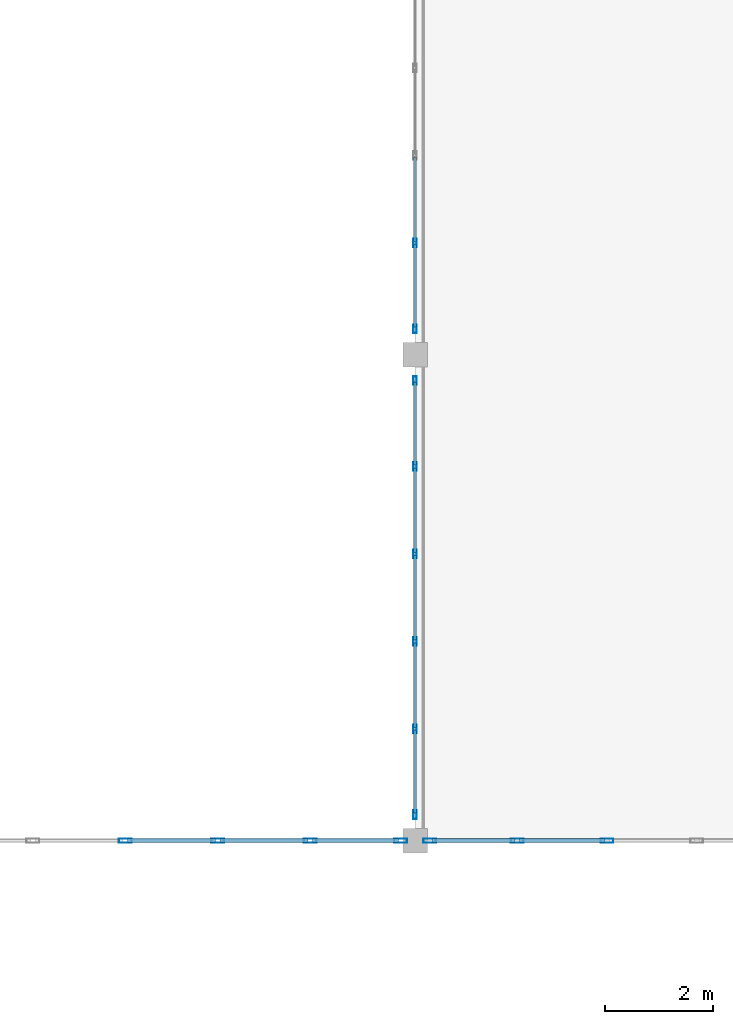
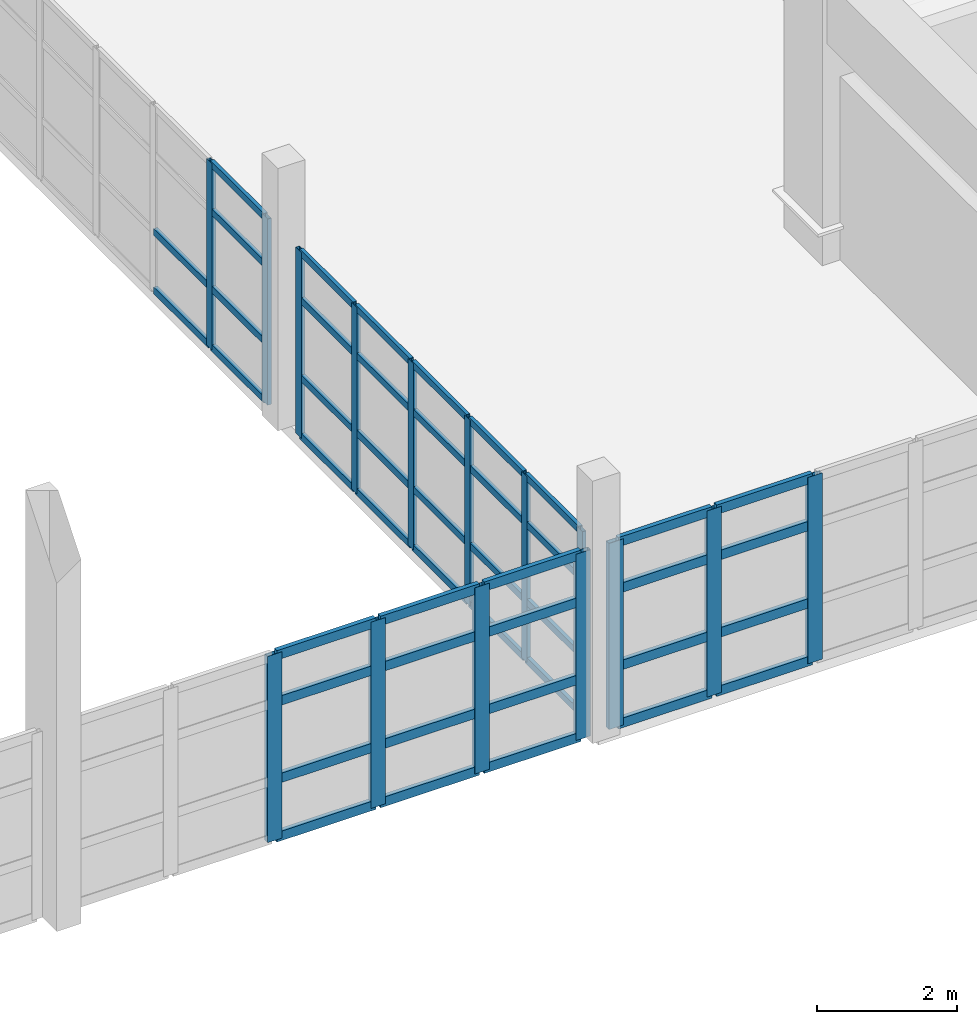
# One storey, part 11 of 80: 61 members, 4 elements without a shape of their own.
"""IFC4 building model written with IfcOpenShell, lengths in metres."""

from ifc_helpers import new_model, si_unit, direction, frame, origin, origin_2d, place, context, subcontext, project, spatial, hollow_rectangle, extrude, material, layer, layer_set, material_profile, profile_set, type_object, element, aggregate, save


model = new_model("IFC4")

# Units and contexts
model_context = context("Model", 3, precision=1e-05, world=origin(), true_north=direction((0.0, 1.0)))
body_context = subcontext(model_context, "Body", "Model", "MODEL_VIEW")
ifc_project = project(units=[si_unit("LENGTHUNIT", "METRE"), si_unit("AREAUNIT", "SQUARE_METRE"), si_unit("VOLUMEUNIT", "CUBIC_METRE"), si_unit("PLANEANGLEUNIT", "RADIAN"), si_unit("MASSUNIT", "GRAM", prefix="KILO")], contexts=[model_context])

# Site, building, storey
site_placement = place(None, origin())
site = spatial("IfcSite", under=ifc_project, at=site_placement, CompositionType="ELEMENT")
building_placement = place(site_placement, origin())
building = spatial("IfcBuilding", under=site, at=building_placement, Name="Ornek Quay Market", CompositionType="ELEMENT")
storey_placement = place(building_placement, frame((0.0, 0.0, 8.39990234375)))
storey = spatial("IfcBuildingStorey", under=building, at=storey_placement, Name="L02", CompositionType="ELEMENT", Elevation=8.39990234375)

# Curtain wall, members
ifc_material_1 = material(Name="Anodised bronze aluminium and triple low-e glass", Category="aluminium")
ifc_layer_1 = layer(ifc_material_1, 0.139892578125, Name="Anodised bronze aluminium and triple low-e glass", Category="aluminium")
ifc_layer_set_1 = layer_set([ifc_layer_1], Name="Anodised bronze aluminium and triple low-e glass")
curtain_wall_type_1 = type_object("IfcCurtainWallType", Name="CW-GALLERY-INT", PredefinedType="USERDEFINED", material=ifc_layer_set_1)
curtain_wall_1_placement = place(storey_placement, origin())
curtain_wall_1 = element("IfcCurtainWall", 1, at=curtain_wall_1_placement, inside=storey, type_object=curtain_wall_type_1, Name="Curtain wall CW-115", ObjectType="CURTAIN WALL", PredefinedType="USERDEFINED")
ifc_material_2 = material(Name="Anodised aluminium 6063-T6", Category="aluminium")
ifc_material_profile_1 = material_profile(ifc_material_2, hollow_rectangle(XDim=0.06005859375, YDim=0.159912109375, WallThickness=0.00390625, at=origin_2d()), Name="CW-MUL-60x160", Category="aluminium")
ifc_profile_set_1 = profile_set([ifc_material_profile_1], Name="Anodised aluminium 6063-T6")
member_type_1 = type_object("IfcMemberType", Name="CW-MUL-60x160", PredefinedType="MULLION", material=ifc_profile_set_1)
member_1_placement = place(storey_placement, frame((108.0, 29.47998046875, 0.0), z_axis=(0.0, 0.0, 1.0), x_axis=(-1.0, 0.0, 0.0)))
member_1 = element("IfcMember", 2, at=member_1_placement, type_object=member_type_1, Name="CW-115 mullion 1", PredefinedType="MULLION", context=body_context, shape_type="SweptSolid", body=[
    extrude(hollow_rectangle(XDim=0.06005859375, YDim=0.159912109375, WallThickness=0.00390625, at=origin_2d()), origin(), (0.0, 0.0, 1.0), 3.25),
])
member_2_placement = place(storey_placement, frame((108.0, 31.070068359375, 0.0), z_axis=(0.0, 0.0, 1.0), x_axis=(-1.0, 0.0, 0.0)))
member_2 = element("IfcMember", 3, at=member_2_placement, type_object=member_type_1, Name="CW-115 mullion 2", PredefinedType="MULLION", context=body_context, shape_type="SweptSolid", body=[
    extrude(hollow_rectangle(XDim=0.06005859375, YDim=0.159912109375, WallThickness=0.00390625, at=origin_2d()), origin(), (0.0, 0.0, 1.0), 3.25),
])
member_3_placement = place(storey_placement, frame((108.0, 32.68994140625, 0.0), z_axis=(0.0, 0.0, 1.0), x_axis=(-1.0, 0.0, 0.0)))
member_3 = element("IfcMember", 4, at=member_3_placement, type_object=member_type_1, Name="CW-115 mullion 3", PredefinedType="MULLION", context=body_context, shape_type="SweptSolid", body=[
    extrude(hollow_rectangle(XDim=0.06005859375, YDim=0.159912109375, WallThickness=0.00390625, at=origin_2d()), origin(), (0.0, 0.0, 1.0), 3.25),
])
member_4_placement = place(storey_placement, frame((108.0, 34.31005859375, 0.0), z_axis=(0.0, 0.0, 1.0), x_axis=(-1.0, 0.0, 0.0)))
member_4 = element("IfcMember", 5, at=member_4_placement, type_object=member_type_1, Name="CW-115 mullion 4", PredefinedType="MULLION", context=body_context, shape_type="SweptSolid", body=[
    extrude(hollow_rectangle(XDim=0.06005859375, YDim=0.159912109375, WallThickness=0.00390625, at=origin_2d()), origin(), (0.0, 0.0, 1.0), 3.25),
])
member_5_placement = place(storey_placement, frame((108.0, 35.929931640625, 0.0), z_axis=(0.0, 0.0, 1.0), x_axis=(-1.0, 0.0, 0.0)))
member_5 = element("IfcMember", 6, at=member_5_placement, type_object=member_type_1, Name="CW-115 mullion 5", PredefinedType="MULLION", context=body_context, shape_type="SweptSolid", body=[
    extrude(hollow_rectangle(XDim=0.06005859375, YDim=0.159912109375, WallThickness=0.00390625, at=origin_2d()), origin(), (0.0, 0.0, 1.0), 3.25),
])
member_6_placement = place(storey_placement, frame((108.0, 37.52001953125, 0.0), z_axis=(0.0, 0.0, 1.0), x_axis=(-1.0, 0.0, 0.0)))
member_6 = element("IfcMember", 7, at=member_6_placement, type_object=member_type_1, Name="CW-115 mullion 6", PredefinedType="MULLION", context=body_context, shape_type="SweptSolid", body=[
    extrude(hollow_rectangle(XDim=0.06005859375, YDim=0.159912109375, WallThickness=0.00390625, at=origin_2d()), origin(), (0.0, 0.0, 1.0), 3.25),
])

curtain_wall_2_placement = place(storey_placement, origin())
curtain_wall_2 = element("IfcCurtainWall", 8, at=curtain_wall_2_placement, inside=storey, type_object=curtain_wall_type_1, Name="Curtain wall CW-116", ObjectType="CURTAIN WALL", PredefinedType="USERDEFINED")
member_7_placement = place(storey_placement, frame((108.0, 38.47998046875, 0.0), z_axis=(0.0, 0.0, 1.0), x_axis=(-1.0, 0.0, 0.0)))
member_7 = element("IfcMember", 9, at=member_7_placement, type_object=member_type_1, Name="CW-116 mullion 1", PredefinedType="MULLION", context=body_context, shape_type="SweptSolid", body=[
    extrude(hollow_rectangle(XDim=0.06005859375, YDim=0.159912109375, WallThickness=0.00390625, at=origin_2d()), origin(), (0.0, 0.0, 1.0), 3.25),
])
member_8_placement = place(storey_placement, frame((108.0, 40.070068359375, 0.0), z_axis=(0.0, 0.0, 1.0), x_axis=(-1.0, 0.0, 0.0)))
member_8 = element("IfcMember", 10, at=member_8_placement, type_object=member_type_1, Name="CW-116 mullion 2", PredefinedType="MULLION", context=body_context, shape_type="SweptSolid", body=[
    extrude(hollow_rectangle(XDim=0.06005859375, YDim=0.159912109375, WallThickness=0.00390625, at=origin_2d()), origin(), (0.0, 0.0, 1.0), 3.25),
])

ifc_layer_2 = layer(ifc_material_1, 0.239990234375, Name="Anodised bronze aluminium and triple low-e glass", Category="aluminium")
ifc_layer_set_2 = layer_set([ifc_layer_2], Name="Anodised bronze aluminium and triple low-e glass")
curtain_wall_type_2 = type_object("IfcCurtainWallType", Name="CW-GAB-MOD1800", PredefinedType="USERDEFINED", material=ifc_layer_set_2)
curtain_wall_3_placement = place(storey_placement, origin())
curtain_wall_3 = element("IfcCurtainWall", 11, at=curtain_wall_3_placement, inside=storey, type_object=curtain_wall_type_2, Name="Curtain wall CW-075", ObjectType="CURTAIN WALL", PredefinedType="USERDEFINED")
ifc_material_profile_2 = material_profile(ifc_material_2, hollow_rectangle(XDim=0.080078125, YDim=0.239990234375, WallThickness=0.006103515625, at=origin_2d()), Name="CW-MUL-80x240", Category="aluminium")
ifc_profile_set_2 = profile_set([ifc_material_profile_2], Name="Anodised aluminium 6063-T6")
member_type_2 = type_object("IfcMemberType", Name="CW-MUL-80x240", PredefinedType="MULLION", material=ifc_profile_set_2)
member_9_placement = place(storey_placement, frame((102.634033203125, 29.0, 0.0), z_axis=(0.0, 0.0, 1.0), x_axis=(0.0, 1.0, 0.0)))
member_9 = element("IfcMember", 12, at=member_9_placement, type_object=member_type_2, Name="CW-075 mullion 3", PredefinedType="MULLION", context=body_context, shape_type="SweptSolid", body=[
    extrude(hollow_rectangle(XDim=0.080078125, YDim=0.239990234375, WallThickness=0.006103515625, at=origin_2d()), origin(), (0.0, 0.0, 1.0), 3.25),
])
member_10_placement = place(storey_placement, frame((104.345947265625, 29.0, 0.0), z_axis=(0.0, 0.0, 1.0), x_axis=(0.0, 1.0, 0.0)))
member_10 = element("IfcMember", 13, at=member_10_placement, type_object=member_type_2, Name="CW-075 mullion 4", PredefinedType="MULLION", context=body_context, shape_type="SweptSolid", body=[
    extrude(hollow_rectangle(XDim=0.080078125, YDim=0.239990234375, WallThickness=0.006103515625, at=origin_2d()), origin(), (0.0, 0.0, 1.0), 3.25),
])
member_11_placement = place(storey_placement, frame((106.05810546875, 29.0, 0.0), z_axis=(0.0, 0.0, 1.0), x_axis=(0.0, 1.0, 0.0)))
member_11 = element("IfcMember", 14, at=member_11_placement, type_object=member_type_2, Name="CW-075 mullion 5", PredefinedType="MULLION", context=body_context, shape_type="SweptSolid", body=[
    extrude(hollow_rectangle(XDim=0.080078125, YDim=0.239990234375, WallThickness=0.006103515625, at=origin_2d()), origin(), (0.0, 0.0, 1.0), 3.25),
])
member_12_placement = place(storey_placement, frame((107.72998046875, 29.0, 0.0), z_axis=(0.0, 0.0, 1.0), x_axis=(0.0, 1.0, 0.0)))
member_12 = element("IfcMember", 15, at=member_12_placement, type_object=member_type_2, Name="CW-075 mullion 6", PredefinedType="MULLION", context=body_context, shape_type="SweptSolid", body=[
    extrude(hollow_rectangle(XDim=0.080078125, YDim=0.239990234375, WallThickness=0.006103515625, at=origin_2d()), origin(), (0.0, 0.0, 1.0), 3.25),
])

curtain_wall_4_placement = place(storey_placement, origin())
curtain_wall_4 = element("IfcCurtainWall", 16, at=curtain_wall_4_placement, inside=storey, type_object=curtain_wall_type_2, Name="Curtain wall CW-077", ObjectType="CURTAIN WALL", PredefinedType="USERDEFINED")
member_13_placement = place(storey_placement, frame((108.27001953125, 29.0, 0.0), z_axis=(0.0, 0.0, 1.0), x_axis=(0.0, 1.0, 0.0)))
member_13 = element("IfcMember", 17, at=member_13_placement, type_object=member_type_2, Name="CW-077 mullion 1", PredefinedType="MULLION", context=body_context, shape_type="SweptSolid", body=[
    extrude(hollow_rectangle(XDim=0.080078125, YDim=0.239990234375, WallThickness=0.006103515625, at=origin_2d()), origin(), (0.0, 0.0, 1.0), 3.25),
])
member_14_placement = place(storey_placement, frame((109.89208984375, 29.0, 0.0), z_axis=(0.0, 0.0, 1.0), x_axis=(0.0, 1.0, 0.0)))
member_14 = element("IfcMember", 18, at=member_14_placement, type_object=member_type_2, Name="CW-077 mullion 2", PredefinedType="MULLION", context=body_context, shape_type="SweptSolid", body=[
    extrude(hollow_rectangle(XDim=0.080078125, YDim=0.239990234375, WallThickness=0.006103515625, at=origin_2d()), origin(), (0.0, 0.0, 1.0), 3.25),
])
member_15_placement = place(storey_placement, frame((111.553955078125, 29.0, 0.0), z_axis=(0.0, 0.0, 1.0), x_axis=(0.0, 1.0, 0.0)))
member_15 = element("IfcMember", 19, at=member_15_placement, type_object=member_type_2, Name="CW-077 mullion 3", PredefinedType="MULLION", context=body_context, shape_type="SweptSolid", body=[
    extrude(hollow_rectangle(XDim=0.080078125, YDim=0.239990234375, WallThickness=0.006103515625, at=origin_2d()), origin(), (0.0, 0.0, 1.0), 3.25),
])

# Member
ifc_material_profile_3 = material_profile(ifc_material_2, hollow_rectangle(XDim=0.06005859375, YDim=0.1201171875, WallThickness=0.00390625, at=origin_2d()), Name="CW-TRN-60x120", Category="aluminium")
ifc_profile_set_3 = profile_set([ifc_material_profile_3], Name="Anodised aluminium 6063-T6")
member_type_3 = type_object("IfcMemberType", Name="CW-TRN-60x120", PredefinedType="USERDEFINED", material=ifc_profile_set_3)
member_16_placement = place(storey_placement, frame((108.0, 29.510009765625, 0.030029296875), z_axis=(0.0, 1.0, 0.0), x_axis=(-1.0, 0.0, 0.0)))
member_16 = element("IfcMember", 20, at=member_16_placement, type_object=member_type_3, Name="CW-115 transom 1.1", ObjectType="TRANSOM", PredefinedType="USERDEFINED", context=body_context, shape_type="SweptSolid", body=[
    extrude(hollow_rectangle(XDim=0.06005859375, YDim=0.1201171875, WallThickness=0.00390625, at=origin_2d()), origin(), (0.0, 0.0, 1.0), 1.530029296875),
])

member_17_placement = place(storey_placement, frame((108.0, 29.510009765625, 1.050048828125), z_axis=(0.0, 1.0, 0.0), x_axis=(-1.0, 0.0, 0.0)))
member_17 = element("IfcMember", 21, at=member_17_placement, type_object=member_type_3, Name="CW-115 transom 1.2", ObjectType="TRANSOM", PredefinedType="USERDEFINED", context=body_context, shape_type="SweptSolid", body=[
    extrude(hollow_rectangle(XDim=0.06005859375, YDim=0.1201171875, WallThickness=0.00390625, at=origin_2d()), origin(), (0.0, 0.0, 1.0), 1.530029296875),
])

member_18_placement = place(storey_placement, frame((108.0, 29.510009765625, 2.400146484375), z_axis=(0.0, 1.0, 0.0), x_axis=(-1.0, 0.0, 0.0)))
member_18 = element("IfcMember", 22, at=member_18_placement, type_object=member_type_3, Name="CW-115 transom 1.3", ObjectType="TRANSOM", PredefinedType="USERDEFINED", context=body_context, shape_type="SweptSolid", body=[
    extrude(hollow_rectangle(XDim=0.06005859375, YDim=0.1201171875, WallThickness=0.00390625, at=origin_2d()), origin(), (0.0, 0.0, 1.0), 1.530029296875),
])

member_19_placement = place(storey_placement, frame((108.0, 29.510009765625, 3.22021484375), z_axis=(0.0, 1.0, 0.0), x_axis=(-1.0, 0.0, 0.0)))
member_19 = element("IfcMember", 23, at=member_19_placement, type_object=member_type_3, Name="CW-115 transom 1.4", ObjectType="TRANSOM", PredefinedType="USERDEFINED", context=body_context, shape_type="SweptSolid", body=[
    extrude(hollow_rectangle(XDim=0.06005859375, YDim=0.1201171875, WallThickness=0.00390625, at=origin_2d()), origin(), (0.0, 0.0, 1.0), 1.530029296875),
])

member_20_placement = place(storey_placement, frame((108.0, 31.10009765625, 0.030029296875), z_axis=(0.0, 1.0, 0.0), x_axis=(-1.0, 0.0, 0.0)))
member_20 = element("IfcMember", 24, at=member_20_placement, type_object=member_type_3, Name="CW-115 transom 2.1", ObjectType="TRANSOM", PredefinedType="USERDEFINED", context=body_context, shape_type="SweptSolid", body=[
    extrude(hollow_rectangle(XDim=0.06005859375, YDim=0.1201171875, WallThickness=0.00390625, at=origin_2d()), origin(), (0.0, 0.0, 1.0), 1.559814453125),
])

member_21_placement = place(storey_placement, frame((108.0, 31.10009765625, 1.050048828125), z_axis=(0.0, 1.0, 0.0), x_axis=(-1.0, 0.0, 0.0)))
member_21 = element("IfcMember", 25, at=member_21_placement, type_object=member_type_3, Name="CW-115 transom 2.2", ObjectType="TRANSOM", PredefinedType="USERDEFINED", context=body_context, shape_type="SweptSolid", body=[
    extrude(hollow_rectangle(XDim=0.06005859375, YDim=0.1201171875, WallThickness=0.00390625, at=origin_2d()), origin(), (0.0, 0.0, 1.0), 1.559814453125),
])

member_22_placement = place(storey_placement, frame((108.0, 31.10009765625, 2.400146484375), z_axis=(0.0, 1.0, 0.0), x_axis=(-1.0, 0.0, 0.0)))
member_22 = element("IfcMember", 26, at=member_22_placement, type_object=member_type_3, Name="CW-115 transom 2.3", ObjectType="TRANSOM", PredefinedType="USERDEFINED", context=body_context, shape_type="SweptSolid", body=[
    extrude(hollow_rectangle(XDim=0.06005859375, YDim=0.1201171875, WallThickness=0.00390625, at=origin_2d()), origin(), (0.0, 0.0, 1.0), 1.559814453125),
])

member_23_placement = place(storey_placement, frame((108.0, 31.10009765625, 3.22021484375), z_axis=(0.0, 1.0, 0.0), x_axis=(-1.0, 0.0, 0.0)))
member_23 = element("IfcMember", 27, at=member_23_placement, type_object=member_type_3, Name="CW-115 transom 2.4", ObjectType="TRANSOM", PredefinedType="USERDEFINED", context=body_context, shape_type="SweptSolid", body=[
    extrude(hollow_rectangle(XDim=0.06005859375, YDim=0.1201171875, WallThickness=0.00390625, at=origin_2d()), origin(), (0.0, 0.0, 1.0), 1.559814453125),
])

member_24_placement = place(storey_placement, frame((108.0, 32.719970703125, 0.030029296875), z_axis=(0.0, 1.0, 0.0), x_axis=(-1.0, 0.0, 0.0)))
member_24 = element("IfcMember", 28, at=member_24_placement, type_object=member_type_3, Name="CW-115 transom 3.1", ObjectType="TRANSOM", PredefinedType="USERDEFINED", context=body_context, shape_type="SweptSolid", body=[
    extrude(hollow_rectangle(XDim=0.06005859375, YDim=0.1201171875, WallThickness=0.00390625, at=origin_2d()), origin(), (0.0, 0.0, 1.0), 1.56005859375),
])

member_25_placement = place(storey_placement, frame((108.0, 32.719970703125, 1.050048828125), z_axis=(0.0, 1.0, 0.0), x_axis=(-1.0, 0.0, 0.0)))
member_25 = element("IfcMember", 29, at=member_25_placement, type_object=member_type_3, Name="CW-115 transom 3.2", ObjectType="TRANSOM", PredefinedType="USERDEFINED", context=body_context, shape_type="SweptSolid", body=[
    extrude(hollow_rectangle(XDim=0.06005859375, YDim=0.1201171875, WallThickness=0.00390625, at=origin_2d()), origin(), (0.0, 0.0, 1.0), 1.56005859375),
])

member_26_placement = place(storey_placement, frame((108.0, 32.719970703125, 2.400146484375), z_axis=(0.0, 1.0, 0.0), x_axis=(-1.0, 0.0, 0.0)))
member_26 = element("IfcMember", 30, at=member_26_placement, type_object=member_type_3, Name="CW-115 transom 3.3", ObjectType="TRANSOM", PredefinedType="USERDEFINED", context=body_context, shape_type="SweptSolid", body=[
    extrude(hollow_rectangle(XDim=0.06005859375, YDim=0.1201171875, WallThickness=0.00390625, at=origin_2d()), origin(), (0.0, 0.0, 1.0), 1.56005859375),
])

member_27_placement = place(storey_placement, frame((108.0, 32.719970703125, 3.22021484375), z_axis=(0.0, 1.0, 0.0), x_axis=(-1.0, 0.0, 0.0)))
member_27 = element("IfcMember", 31, at=member_27_placement, type_object=member_type_3, Name="CW-115 transom 3.4", ObjectType="TRANSOM", PredefinedType="USERDEFINED", context=body_context, shape_type="SweptSolid", body=[
    extrude(hollow_rectangle(XDim=0.06005859375, YDim=0.1201171875, WallThickness=0.00390625, at=origin_2d()), origin(), (0.0, 0.0, 1.0), 1.56005859375),
])

member_28_placement = place(storey_placement, frame((108.0, 34.340087890625, 0.030029296875), z_axis=(0.0, 1.0, 0.0), x_axis=(-1.0, 0.0, 0.0)))
member_28 = element("IfcMember", 32, at=member_28_placement, type_object=member_type_3, Name="CW-115 transom 4.1", ObjectType="TRANSOM", PredefinedType="USERDEFINED", context=body_context, shape_type="SweptSolid", body=[
    extrude(hollow_rectangle(XDim=0.06005859375, YDim=0.1201171875, WallThickness=0.00390625, at=origin_2d()), origin(), (0.0, 0.0, 1.0), 1.559814453125),
])

member_29_placement = place(storey_placement, frame((108.0, 34.340087890625, 1.050048828125), z_axis=(0.0, 1.0, 0.0), x_axis=(-1.0, 0.0, 0.0)))
member_29 = element("IfcMember", 33, at=member_29_placement, type_object=member_type_3, Name="CW-115 transom 4.2", ObjectType="TRANSOM", PredefinedType="USERDEFINED", context=body_context, shape_type="SweptSolid", body=[
    extrude(hollow_rectangle(XDim=0.06005859375, YDim=0.1201171875, WallThickness=0.00390625, at=origin_2d()), origin(), (0.0, 0.0, 1.0), 1.559814453125),
])

member_30_placement = place(storey_placement, frame((108.0, 34.340087890625, 2.400146484375), z_axis=(0.0, 1.0, 0.0), x_axis=(-1.0, 0.0, 0.0)))
member_30 = element("IfcMember", 34, at=member_30_placement, type_object=member_type_3, Name="CW-115 transom 4.3", ObjectType="TRANSOM", PredefinedType="USERDEFINED", context=body_context, shape_type="SweptSolid", body=[
    extrude(hollow_rectangle(XDim=0.06005859375, YDim=0.1201171875, WallThickness=0.00390625, at=origin_2d()), origin(), (0.0, 0.0, 1.0), 1.559814453125),
])

member_31_placement = place(storey_placement, frame((108.0, 34.340087890625, 3.22021484375), z_axis=(0.0, 1.0, 0.0), x_axis=(-1.0, 0.0, 0.0)))
member_31 = element("IfcMember", 35, at=member_31_placement, type_object=member_type_3, Name="CW-115 transom 4.4", ObjectType="TRANSOM", PredefinedType="USERDEFINED", context=body_context, shape_type="SweptSolid", body=[
    extrude(hollow_rectangle(XDim=0.06005859375, YDim=0.1201171875, WallThickness=0.00390625, at=origin_2d()), origin(), (0.0, 0.0, 1.0), 1.559814453125),
])

member_32_placement = place(storey_placement, frame((108.0, 35.9599609375, 0.030029296875), z_axis=(0.0, 1.0, 0.0), x_axis=(-1.0, 0.0, 0.0)))
member_32 = element("IfcMember", 36, at=member_32_placement, type_object=member_type_3, Name="CW-115 transom 5.1", ObjectType="TRANSOM", PredefinedType="USERDEFINED", context=body_context, shape_type="SweptSolid", body=[
    extrude(hollow_rectangle(XDim=0.06005859375, YDim=0.1201171875, WallThickness=0.00390625, at=origin_2d()), origin(), (0.0, 0.0, 1.0), 1.530029296875),
])

member_33_placement = place(storey_placement, frame((108.0, 35.9599609375, 1.050048828125), z_axis=(0.0, 1.0, 0.0), x_axis=(-1.0, 0.0, 0.0)))
member_33 = element("IfcMember", 37, at=member_33_placement, type_object=member_type_3, Name="CW-115 transom 5.2", ObjectType="TRANSOM", PredefinedType="USERDEFINED", context=body_context, shape_type="SweptSolid", body=[
    extrude(hollow_rectangle(XDim=0.06005859375, YDim=0.1201171875, WallThickness=0.00390625, at=origin_2d()), origin(), (0.0, 0.0, 1.0), 1.530029296875),
])

member_34_placement = place(storey_placement, frame((108.0, 35.9599609375, 2.400146484375), z_axis=(0.0, 1.0, 0.0), x_axis=(-1.0, 0.0, 0.0)))
member_34 = element("IfcMember", 38, at=member_34_placement, type_object=member_type_3, Name="CW-115 transom 5.3", ObjectType="TRANSOM", PredefinedType="USERDEFINED", context=body_context, shape_type="SweptSolid", body=[
    extrude(hollow_rectangle(XDim=0.06005859375, YDim=0.1201171875, WallThickness=0.00390625, at=origin_2d()), origin(), (0.0, 0.0, 1.0), 1.530029296875),
])

member_35_placement = place(storey_placement, frame((108.0, 35.9599609375, 3.22021484375), z_axis=(0.0, 1.0, 0.0), x_axis=(-1.0, 0.0, 0.0)))
member_35 = element("IfcMember", 39, at=member_35_placement, type_object=member_type_3, Name="CW-115 transom 5.4", ObjectType="TRANSOM", PredefinedType="USERDEFINED", context=body_context, shape_type="SweptSolid", body=[
    extrude(hollow_rectangle(XDim=0.06005859375, YDim=0.1201171875, WallThickness=0.00390625, at=origin_2d()), origin(), (0.0, 0.0, 1.0), 1.530029296875),
])

aggregate(curtain_wall_1, [member_1, member_2, member_3, member_4, member_5, member_6, member_16, member_17, member_18, member_19, member_20, member_21, member_22, member_23, member_24, member_25, member_26, member_27, member_28, member_29, member_30, member_31, member_32, member_33, member_34, member_35])

member_36_placement = place(storey_placement, frame((108.0, 38.510009765625, 0.030029296875), z_axis=(0.0, 1.0, 0.0), x_axis=(-1.0, 0.0, 0.0)))
member_36 = element("IfcMember", 40, at=member_36_placement, type_object=member_type_3, Name="CW-116 transom 1.1", ObjectType="TRANSOM", PredefinedType="USERDEFINED", context=body_context, shape_type="SweptSolid", body=[
    extrude(hollow_rectangle(XDim=0.06005859375, YDim=0.1201171875, WallThickness=0.00390625, at=origin_2d()), origin(), (0.0, 0.0, 1.0), 1.530029296875),
])

member_37_placement = place(storey_placement, frame((108.0, 38.510009765625, 1.050048828125), z_axis=(0.0, 1.0, 0.0), x_axis=(-1.0, 0.0, 0.0)))
member_37 = element("IfcMember", 41, at=member_37_placement, type_object=member_type_3, Name="CW-116 transom 1.2", ObjectType="TRANSOM", PredefinedType="USERDEFINED", context=body_context, shape_type="SweptSolid", body=[
    extrude(hollow_rectangle(XDim=0.06005859375, YDim=0.1201171875, WallThickness=0.00390625, at=origin_2d()), origin(), (0.0, 0.0, 1.0), 1.530029296875),
])

member_38_placement = place(storey_placement, frame((108.0, 38.510009765625, 2.400146484375), z_axis=(0.0, 1.0, 0.0), x_axis=(-1.0, 0.0, 0.0)))
member_38 = element("IfcMember", 42, at=member_38_placement, type_object=member_type_3, Name="CW-116 transom 1.3", ObjectType="TRANSOM", PredefinedType="USERDEFINED", context=body_context, shape_type="SweptSolid", body=[
    extrude(hollow_rectangle(XDim=0.06005859375, YDim=0.1201171875, WallThickness=0.00390625, at=origin_2d()), origin(), (0.0, 0.0, 1.0), 1.530029296875),
])

member_39_placement = place(storey_placement, frame((108.0, 38.510009765625, 3.22021484375), z_axis=(0.0, 1.0, 0.0), x_axis=(-1.0, 0.0, 0.0)))
member_39 = element("IfcMember", 43, at=member_39_placement, type_object=member_type_3, Name="CW-116 transom 1.4", ObjectType="TRANSOM", PredefinedType="USERDEFINED", context=body_context, shape_type="SweptSolid", body=[
    extrude(hollow_rectangle(XDim=0.06005859375, YDim=0.1201171875, WallThickness=0.00390625, at=origin_2d()), origin(), (0.0, 0.0, 1.0), 1.530029296875),
])

member_40_placement = place(storey_placement, frame((108.0, 40.10009765625, 0.030029296875), z_axis=(0.0, 1.0, 0.0), x_axis=(-1.0, 0.0, 0.0)))
member_40 = element("IfcMember", 44, at=member_40_placement, type_object=member_type_3, Name="CW-116 transom 2.1", ObjectType="TRANSOM", PredefinedType="USERDEFINED", context=body_context, shape_type="SweptSolid", body=[
    extrude(hollow_rectangle(XDim=0.06005859375, YDim=0.1201171875, WallThickness=0.00390625, at=origin_2d()), origin(), (0.0, 0.0, 1.0), 1.559814453125),
])

member_41_placement = place(storey_placement, frame((108.0, 40.10009765625, 1.050048828125), z_axis=(0.0, 1.0, 0.0), x_axis=(-1.0, 0.0, 0.0)))
member_41 = element("IfcMember", 45, at=member_41_placement, type_object=member_type_3, Name="CW-116 transom 2.2", ObjectType="TRANSOM", PredefinedType="USERDEFINED", context=body_context, shape_type="SweptSolid", body=[
    extrude(hollow_rectangle(XDim=0.06005859375, YDim=0.1201171875, WallThickness=0.00390625, at=origin_2d()), origin(), (0.0, 0.0, 1.0), 1.559814453125),
])

aggregate(curtain_wall_2, [member_7, member_8, member_36, member_37, member_38, member_39, member_40, member_41])

ifc_material_profile_4 = material_profile(ifc_material_2, hollow_rectangle(XDim=0.074951171875, YDim=0.1650390625, WallThickness=0.0048828125, at=origin_2d()), Name="CW-TRN-75x165", Category="aluminium")
ifc_profile_set_4 = profile_set([ifc_material_profile_4], Name="Anodised aluminium 6063-T6")
member_type_4 = type_object("IfcMemberType", Name="CW-TRN-75x165", PredefinedType="USERDEFINED", material=ifc_profile_set_4)
member_42_placement = place(storey_placement, frame((102.674072265625, 29.0, 0.03759765625), z_axis=(1.0, 0.0, 0.0), x_axis=(0.0, 1.0, 0.0)))
member_42 = element("IfcMember", 46, at=member_42_placement, type_object=member_type_4, Name="CW-075 transom 3.1", ObjectType="TRANSOM", PredefinedType="USERDEFINED", context=body_context, shape_type="SweptSolid", body=[
    extrude(hollow_rectangle(XDim=0.074951171875, YDim=0.1650390625, WallThickness=0.0048828125, at=origin_2d()), origin(), (0.0, 0.0, 1.0), 1.6318359375),
])

member_43_placement = place(storey_placement, frame((102.674072265625, 29.0, 1.050048828125), z_axis=(1.0, 0.0, 0.0), x_axis=(0.0, 1.0, 0.0)))
member_43 = element("IfcMember", 47, at=member_43_placement, type_object=member_type_4, Name="CW-075 transom 3.2", ObjectType="TRANSOM", PredefinedType="USERDEFINED", context=body_context, shape_type="SweptSolid", body=[
    extrude(hollow_rectangle(XDim=0.074951171875, YDim=0.1650390625, WallThickness=0.0048828125, at=origin_2d()), origin(), (0.0, 0.0, 1.0), 1.6318359375),
])

member_44_placement = place(storey_placement, frame((102.674072265625, 29.0, 2.400146484375), z_axis=(1.0, 0.0, 0.0), x_axis=(0.0, 1.0, 0.0)))
member_44 = element("IfcMember", 48, at=member_44_placement, type_object=member_type_4, Name="CW-075 transom 3.3", ObjectType="TRANSOM", PredefinedType="USERDEFINED", context=body_context, shape_type="SweptSolid", body=[
    extrude(hollow_rectangle(XDim=0.074951171875, YDim=0.1650390625, WallThickness=0.0048828125, at=origin_2d()), origin(), (0.0, 0.0, 1.0), 1.6318359375),
])

member_45_placement = place(storey_placement, frame((102.674072265625, 29.0, 3.212646484375), z_axis=(1.0, 0.0, 0.0), x_axis=(0.0, 1.0, 0.0)))
member_45 = element("IfcMember", 49, at=member_45_placement, type_object=member_type_4, Name="CW-075 transom 3.4", ObjectType="TRANSOM", PredefinedType="USERDEFINED", context=body_context, shape_type="SweptSolid", body=[
    extrude(hollow_rectangle(XDim=0.074951171875, YDim=0.1650390625, WallThickness=0.0048828125, at=origin_2d()), origin(), (0.0, 0.0, 1.0), 1.6318359375),
])

member_46_placement = place(storey_placement, frame((104.385986328125, 29.0, 0.03759765625), z_axis=(1.0, 0.0, 0.0), x_axis=(0.0, 1.0, 0.0)))
member_46 = element("IfcMember", 50, at=member_46_placement, type_object=member_type_4, Name="CW-075 transom 4.1", ObjectType="TRANSOM", PredefinedType="USERDEFINED", context=body_context, shape_type="SweptSolid", body=[
    extrude(hollow_rectangle(XDim=0.074951171875, YDim=0.1650390625, WallThickness=0.0048828125, at=origin_2d()), origin(), (0.0, 0.0, 1.0), 1.632080078125),
])

member_47_placement = place(storey_placement, frame((104.385986328125, 29.0, 1.050048828125), z_axis=(1.0, 0.0, 0.0), x_axis=(0.0, 1.0, 0.0)))
member_47 = element("IfcMember", 51, at=member_47_placement, type_object=member_type_4, Name="CW-075 transom 4.2", ObjectType="TRANSOM", PredefinedType="USERDEFINED", context=body_context, shape_type="SweptSolid", body=[
    extrude(hollow_rectangle(XDim=0.074951171875, YDim=0.1650390625, WallThickness=0.0048828125, at=origin_2d()), origin(), (0.0, 0.0, 1.0), 1.632080078125),
])

member_48_placement = place(storey_placement, frame((104.385986328125, 29.0, 2.400146484375), z_axis=(1.0, 0.0, 0.0), x_axis=(0.0, 1.0, 0.0)))
member_48 = element("IfcMember", 52, at=member_48_placement, type_object=member_type_4, Name="CW-075 transom 4.3", ObjectType="TRANSOM", PredefinedType="USERDEFINED", context=body_context, shape_type="SweptSolid", body=[
    extrude(hollow_rectangle(XDim=0.074951171875, YDim=0.1650390625, WallThickness=0.0048828125, at=origin_2d()), origin(), (0.0, 0.0, 1.0), 1.632080078125),
])

member_49_placement = place(storey_placement, frame((104.385986328125, 29.0, 3.212646484375), z_axis=(1.0, 0.0, 0.0), x_axis=(0.0, 1.0, 0.0)))
member_49 = element("IfcMember", 53, at=member_49_placement, type_object=member_type_4, Name="CW-075 transom 4.4", ObjectType="TRANSOM", PredefinedType="USERDEFINED", context=body_context, shape_type="SweptSolid", body=[
    extrude(hollow_rectangle(XDim=0.074951171875, YDim=0.1650390625, WallThickness=0.0048828125, at=origin_2d()), origin(), (0.0, 0.0, 1.0), 1.632080078125),
])

member_50_placement = place(storey_placement, frame((106.097900390625, 29.0, 0.03759765625), z_axis=(1.0, 0.0, 0.0), x_axis=(0.0, 1.0, 0.0)))
member_50 = element("IfcMember", 54, at=member_50_placement, type_object=member_type_4, Name="CW-075 transom 5.1", ObjectType="TRANSOM", PredefinedType="USERDEFINED", context=body_context, shape_type="SweptSolid", body=[
    extrude(hollow_rectangle(XDim=0.074951171875, YDim=0.1650390625, WallThickness=0.0048828125, at=origin_2d()), origin(), (0.0, 0.0, 1.0), 1.592041015625),
])

member_51_placement = place(storey_placement, frame((106.097900390625, 29.0, 1.050048828125), z_axis=(1.0, 0.0, 0.0), x_axis=(0.0, 1.0, 0.0)))
member_51 = element("IfcMember", 55, at=member_51_placement, type_object=member_type_4, Name="CW-075 transom 5.2", ObjectType="TRANSOM", PredefinedType="USERDEFINED", context=body_context, shape_type="SweptSolid", body=[
    extrude(hollow_rectangle(XDim=0.074951171875, YDim=0.1650390625, WallThickness=0.0048828125, at=origin_2d()), origin(), (0.0, 0.0, 1.0), 1.592041015625),
])

member_52_placement = place(storey_placement, frame((106.097900390625, 29.0, 2.400146484375), z_axis=(1.0, 0.0, 0.0), x_axis=(0.0, 1.0, 0.0)))
member_52 = element("IfcMember", 56, at=member_52_placement, type_object=member_type_4, Name="CW-075 transom 5.3", ObjectType="TRANSOM", PredefinedType="USERDEFINED", context=body_context, shape_type="SweptSolid", body=[
    extrude(hollow_rectangle(XDim=0.074951171875, YDim=0.1650390625, WallThickness=0.0048828125, at=origin_2d()), origin(), (0.0, 0.0, 1.0), 1.592041015625),
])

member_53_placement = place(storey_placement, frame((106.097900390625, 29.0, 3.212646484375), z_axis=(1.0, 0.0, 0.0), x_axis=(0.0, 1.0, 0.0)))
member_53 = element("IfcMember", 57, at=member_53_placement, type_object=member_type_4, Name="CW-075 transom 5.4", ObjectType="TRANSOM", PredefinedType="USERDEFINED", context=body_context, shape_type="SweptSolid", body=[
    extrude(hollow_rectangle(XDim=0.074951171875, YDim=0.1650390625, WallThickness=0.0048828125, at=origin_2d()), origin(), (0.0, 0.0, 1.0), 1.592041015625),
])

aggregate(curtain_wall_3, [member_9, member_10, member_11, member_12, member_42, member_43, member_44, member_45, member_46, member_47, member_48, member_49, member_50, member_51, member_52, member_53])

member_54_placement = place(storey_placement, frame((108.31005859375, 29.0, 0.03759765625), z_axis=(1.0, 0.0, 0.0), x_axis=(0.0, 1.0, 0.0)))
member_54 = element("IfcMember", 58, at=member_54_placement, type_object=member_type_4, Name="CW-077 transom 1.1", ObjectType="TRANSOM", PredefinedType="USERDEFINED", context=body_context, shape_type="SweptSolid", body=[
    extrude(hollow_rectangle(XDim=0.074951171875, YDim=0.1650390625, WallThickness=0.0048828125, at=origin_2d()), origin(), (0.0, 0.0, 1.0), 1.5419921875),
])

member_55_placement = place(storey_placement, frame((108.31005859375, 29.0, 1.050048828125), z_axis=(1.0, 0.0, 0.0), x_axis=(0.0, 1.0, 0.0)))
member_55 = element("IfcMember", 59, at=member_55_placement, type_object=member_type_4, Name="CW-077 transom 1.2", ObjectType="TRANSOM", PredefinedType="USERDEFINED", context=body_context, shape_type="SweptSolid", body=[
    extrude(hollow_rectangle(XDim=0.074951171875, YDim=0.1650390625, WallThickness=0.0048828125, at=origin_2d()), origin(), (0.0, 0.0, 1.0), 1.5419921875),
])

member_56_placement = place(storey_placement, frame((108.31005859375, 29.0, 2.400146484375), z_axis=(1.0, 0.0, 0.0), x_axis=(0.0, 1.0, 0.0)))
member_56 = element("IfcMember", 60, at=member_56_placement, type_object=member_type_4, Name="CW-077 transom 1.3", ObjectType="TRANSOM", PredefinedType="USERDEFINED", context=body_context, shape_type="SweptSolid", body=[
    extrude(hollow_rectangle(XDim=0.074951171875, YDim=0.1650390625, WallThickness=0.0048828125, at=origin_2d()), origin(), (0.0, 0.0, 1.0), 1.5419921875),
])

member_57_placement = place(storey_placement, frame((108.31005859375, 29.0, 3.212646484375), z_axis=(1.0, 0.0, 0.0), x_axis=(0.0, 1.0, 0.0)))
member_57 = element("IfcMember", 61, at=member_57_placement, type_object=member_type_4, Name="CW-077 transom 1.4", ObjectType="TRANSOM", PredefinedType="USERDEFINED", context=body_context, shape_type="SweptSolid", body=[
    extrude(hollow_rectangle(XDim=0.074951171875, YDim=0.1650390625, WallThickness=0.0048828125, at=origin_2d()), origin(), (0.0, 0.0, 1.0), 1.5419921875),
])

member_58_placement = place(storey_placement, frame((109.931884765625, 29.0, 0.03759765625), z_axis=(1.0, 0.0, 0.0), x_axis=(0.0, 1.0, 0.0)))
member_58 = element("IfcMember", 62, at=member_58_placement, type_object=member_type_4, Name="CW-077 transom 2.1", ObjectType="TRANSOM", PredefinedType="USERDEFINED", context=body_context, shape_type="SweptSolid", body=[
    extrude(hollow_rectangle(XDim=0.074951171875, YDim=0.1650390625, WallThickness=0.0048828125, at=origin_2d()), origin(), (0.0, 0.0, 1.0), 1.58203125),
])

member_59_placement = place(storey_placement, frame((109.931884765625, 29.0, 1.050048828125), z_axis=(1.0, 0.0, 0.0), x_axis=(0.0, 1.0, 0.0)))
member_59 = element("IfcMember", 63, at=member_59_placement, type_object=member_type_4, Name="CW-077 transom 2.2", ObjectType="TRANSOM", PredefinedType="USERDEFINED", context=body_context, shape_type="SweptSolid", body=[
    extrude(hollow_rectangle(XDim=0.074951171875, YDim=0.1650390625, WallThickness=0.0048828125, at=origin_2d()), origin(), (0.0, 0.0, 1.0), 1.58203125),
])

member_60_placement = place(storey_placement, frame((109.931884765625, 29.0, 2.400146484375), z_axis=(1.0, 0.0, 0.0), x_axis=(0.0, 1.0, 0.0)))
member_60 = element("IfcMember", 64, at=member_60_placement, type_object=member_type_4, Name="CW-077 transom 2.3", ObjectType="TRANSOM", PredefinedType="USERDEFINED", context=body_context, shape_type="SweptSolid", body=[
    extrude(hollow_rectangle(XDim=0.074951171875, YDim=0.1650390625, WallThickness=0.0048828125, at=origin_2d()), origin(), (0.0, 0.0, 1.0), 1.58203125),
])

member_61_placement = place(storey_placement, frame((109.931884765625, 29.0, 3.212646484375), z_axis=(1.0, 0.0, 0.0), x_axis=(0.0, 1.0, 0.0)))
member_61 = element("IfcMember", 65, at=member_61_placement, type_object=member_type_4, Name="CW-077 transom 2.4", ObjectType="TRANSOM", PredefinedType="USERDEFINED", context=body_context, shape_type="SweptSolid", body=[
    extrude(hollow_rectangle(XDim=0.074951171875, YDim=0.1650390625, WallThickness=0.0048828125, at=origin_2d()), origin(), (0.0, 0.0, 1.0), 1.58203125),
])

aggregate(curtain_wall_4, [member_13, member_14, member_15, member_54, member_55, member_56, member_57, member_58, member_59, member_60, member_61])

save(model, "model.ifc")
